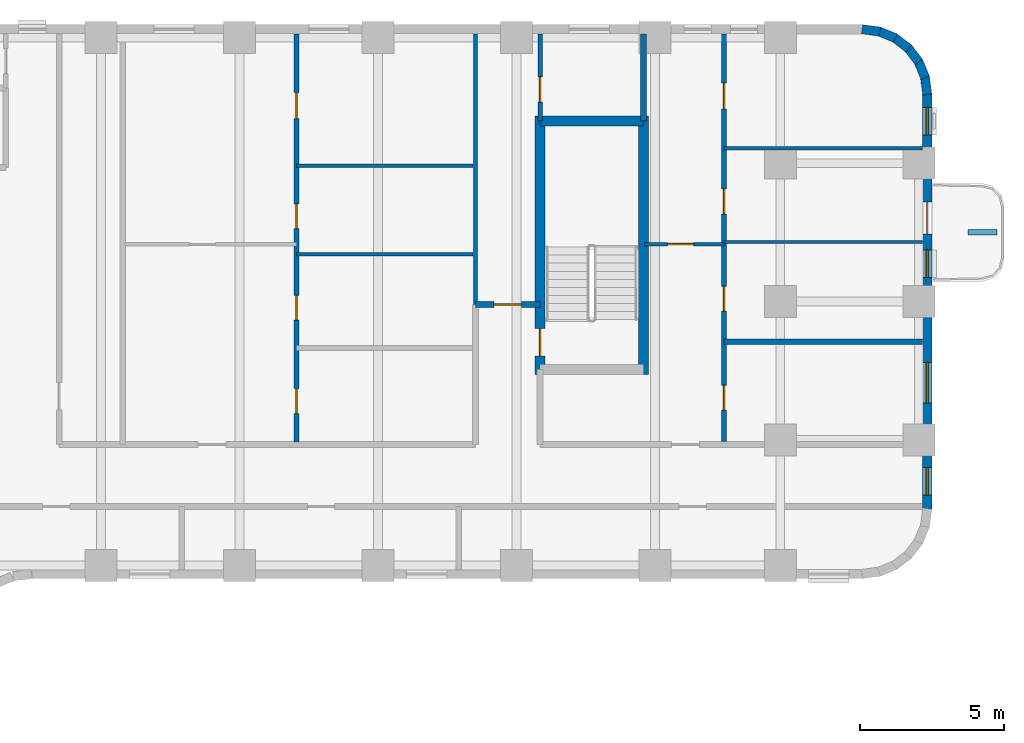
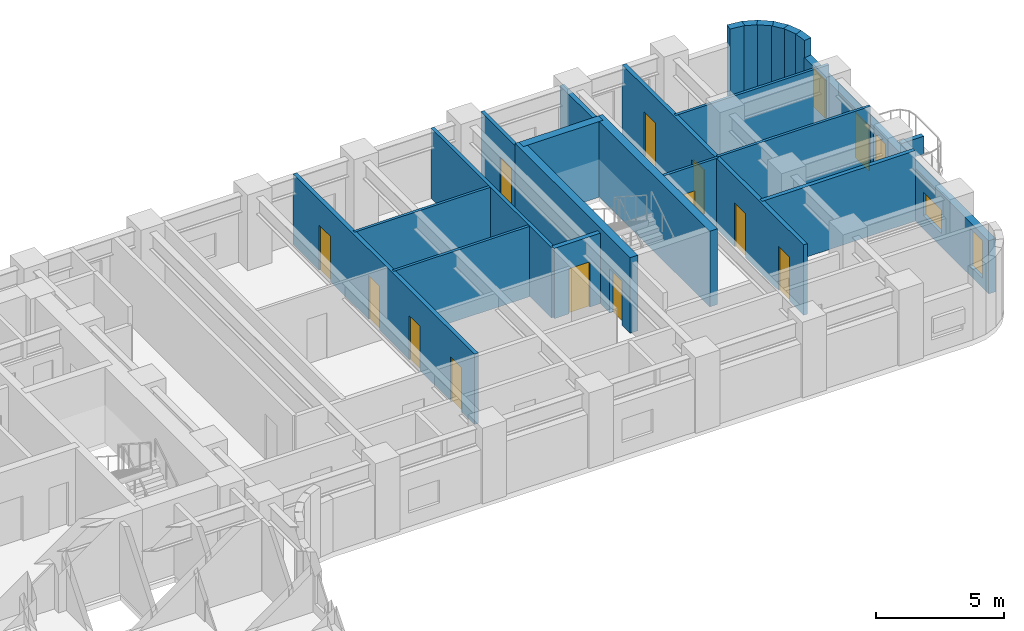
# One storey, part 7 of 12: 23 walls, 13 doors, 4 windows, 17 openings.
"""IFC4 building model written with IfcOpenShell, lengths in metres."""

import ifcopenshell
import ifcopenshell.guid

model = None  # the IFC model being written
_history = None  # IfcOwnerHistory: only IFC2X3 demands one
_inside = {}  # id of a spatial element -> (the spatial element, [elements in it])
_under = {}  # id of a project, library or spatial element -> (it, [spatial elements below it])
_declared = {}  # id of a project -> (the project, [libraries it declares])
_typed = {}  # id of a type object -> (the type object, [elements of that type])
_made_of = {}  # id of a material, layer set ... -> (it, [elements and type objects made of it])


def new_model(schema):
    """Start an empty IFC model of exactly this schema.

    Asked for "IFC4X3", IfcOpenShell would pick the latest addendum, in which some entities
    have other attributes; the version numbers below select the first issue.
    IFC2X3 requires an IfcOwnerHistory on every rooted entity: one is made here for all.
    """
    global model, _history
    if schema == "IFC4X3":
        model = ifcopenshell.file(schema_version=(4, 3, 0, 0))
    else:
        model = ifcopenshell.file(schema=schema)
    _inside.clear()
    _under.clear()
    _declared.clear()
    _typed.clear()
    _made_of.clear()
    _history = None
    if model.schema == "IFC2X3":
        org = make("IfcOrganization", Name="unknown")
        user = make(
            "IfcPersonAndOrganization",
            ThePerson=make("IfcPerson", FamilyName="unknown"),
            TheOrganization=org,
        )
        app = make(
            "IfcApplication",
            ApplicationDeveloper=org,
            Version="unknown",
            ApplicationFullName="unknown",
            ApplicationIdentifier="unknown",
        )
        _history = make(
            "IfcOwnerHistory",
            OwningUser=user,
            OwningApplication=app,
            ChangeAction="ADDED",
            CreationDate=0,
        )
    return model


def make(cls, **values):
    """One entity of the class cls with the attributes given. An attribute that is None is left unset."""
    return model.create_entity(
        cls, **{name: value for name, value in values.items() if value is not None}
    )


def rooted(cls, **values):
    """An entity with a GlobalId (a new one), such as an element, a storey or a relation."""
    return make(cls, GlobalId=ifcopenshell.guid.new(), OwnerHistory=_history, **values)


def si_unit(unit_type, name, prefix=None):
    """IfcSIUnit, for example si_unit("LENGTHUNIT", "METRE", prefix="MILLI")."""
    return make("IfcSIUnit", UnitType=unit_type, Prefix=prefix, Name=name)


def assignment(units):
    """IfcUnitAssignment: the units of a project."""
    return None if units is None else make("IfcUnitAssignment", Units=units)


def point(xyz):
    """IfcCartesianPoint."""
    return None if xyz is None else make("IfcCartesianPoint", Coordinates=xyz)


def direction(xyz):
    """IfcDirection."""
    return None if xyz is None else make("IfcDirection", DirectionRatios=xyz)


def frame(location, z_axis=None, x_axis=None):
    """IfcAxis2Placement3D, a coordinate frame: its origin and axes. An axis left out is left unset."""
    return make(
        "IfcAxis2Placement3D",
        Location=point(location),
        Axis=direction(z_axis),
        RefDirection=direction(x_axis),
    )


def frame_2d(location, x_axis=None):
    """IfcAxis2Placement2D, a coordinate frame in the plane: its origin and x axis."""
    return make(
        "IfcAxis2Placement2D", Location=point(location), RefDirection=direction(x_axis)
    )


def origin():
    """The frame at (0, 0, 0) with its axes left unset."""
    return frame((0.0, 0.0, 0.0))


def place(relative_to, where):
    """IfcLocalPlacement: puts the frame where relative to a parent placement (None: the world)."""
    return make(
        "IfcLocalPlacement", PlacementRelTo=relative_to, RelativePlacement=where
    )


def context(
    kind, dimensions, precision=None, world=None, true_north=None, identifier=None
):
    """IfcGeometricRepresentationContext, for example the 3D "Model" context."""
    return make(
        "IfcGeometricRepresentationContext",
        ContextIdentifier=identifier,
        ContextType=kind,
        CoordinateSpaceDimension=dimensions,
        Precision=precision,
        WorldCoordinateSystem=world,
        TrueNorth=true_north,
    )


def subcontext(parent, identifier, kind, view, scale=None):
    """IfcGeometricRepresentationSubContext, for example "Body" below "Model"."""
    return make(
        "IfcGeometricRepresentationSubContext",
        ContextIdentifier=identifier,
        ContextType=kind,
        ParentContext=parent,
        TargetScale=scale,
        TargetView=view,
    )


def project(units=None, contexts=None):
    """IfcProject with its units and contexts."""
    return rooted(
        "IfcProject",
        Name="project",
        RepresentationContexts=contexts,
        UnitsInContext=assignment(units),
    )


def spatial(cls, under=None, at=None, **own):
    """A site, building, storey or space (cls), placed at a placement, below another one or the project."""
    s = rooted(cls, ObjectPlacement=at, **own)
    if under is not None:
        _under.setdefault(under.id(), (under, []))[1].append(s)
    return s


def profile(cls, at=None, kind="AREA", **sizes):
    """A parametric profile (cls). Its sizes go by their IFC names, for example OverallWidth=200.0."""
    return make(cls, ProfileType=kind, Position=at, **sizes)


def rectangle(**sizes):
    """IfcRectangleProfileDef."""
    return profile("IfcRectangleProfileDef", **sizes)


def extrude(swept, where, along, depth):
    """IfcExtrudedAreaSolid: the profile swept, set in the frame where, extruded along a direction by depth."""
    return make(
        "IfcExtrudedAreaSolid",
        SweptArea=swept,
        Position=where,
        ExtrudedDirection=direction(along),
        Depth=depth,
    )


def shape(context_of_items, identifier, shape_type, items):
    """IfcShapeRepresentation: the items that make up one representation, for example the "Body"."""
    return make(
        "IfcShapeRepresentation",
        ContextOfItems=context_of_items,
        RepresentationIdentifier=identifier,
        RepresentationType=shape_type,
        Items=items,
    )


def material(Name=None, Category=None):
    """IfcMaterial."""
    return make("IfcMaterial", Name=Name, Category=Category)


def layer(
    of_material, thickness, ventilated=None, Name=None, Category=None, Priority=None
):
    """IfcMaterialLayer: one layer of a wall or slab, of a material (None: an air gap)."""
    return make(
        "IfcMaterialLayer",
        Material=of_material,
        LayerThickness=thickness,
        IsVentilated=ventilated,
        Name=Name,
        Category=Category,
        Priority=Priority,
    )


def layer_set(layers, Name=None):
    """IfcMaterialLayerSet."""
    return make("IfcMaterialLayerSet", MaterialLayers=layers, LayerSetName=Name)


def made_of(thing, what):
    """Note that an element or type object is made of a material, layer set ...; save() writes the relation."""
    if what is not None:
        _made_of.setdefault(what.id(), (what, []))[1].append(thing)
    return thing


def type_object(cls, material=None, **own):
    """A type object (cls), such as IfcWallType, which elements share."""
    return made_of(rooted(cls, **own), material)


def element(
    cls,
    number,
    at=None,
    inside=None,
    cuts=None,
    type_object=None,
    material=None,
    context=None,
    identifier="Body",
    shape_type=None,
    held_by="IfcProductDefinitionShape",
    body=None,
    shapes=None,
    **own,
):
    """One element of the class cls, such as IfcWall. Its Tag is "e" and its number.

    at: its placement. inside: the storey or other place that contains it. cuts: it is an
    opening in that element (IfcRelVoidsElement). A single representation is given by context,
    identifier, shape_type and body (its items); several are given by shapes. held_by: the class
    of the entity that holds the representations. save() writes the other relations.
    """
    e = rooted(cls, Tag="e%d" % number, ObjectPlacement=at, **own)
    if body is not None:
        shapes = [shape(context, identifier, shape_type, body)]
    if shapes is not None:
        e.Representation = make(held_by, Representations=shapes)
    if inside is not None:
        _inside.setdefault(inside.id(), (inside, []))[1].append(e)
    if cuts is not None:
        rooted(
            "IfcRelVoidsElement", RelatingBuildingElement=cuts, RelatedOpeningElement=e
        )
    if type_object is not None:
        _typed.setdefault(type_object.id(), (type_object, []))[1].append(e)
    return made_of(e, material)


def fill(opening, filler):
    """IfcRelFillsElement: the door or window that sits in an opening."""
    return rooted(
        "IfcRelFillsElement",
        RelatingOpeningElement=opening,
        RelatedBuildingElement=filler,
    )


def aggregate(whole, parts):
    """IfcRelAggregates: a whole, such as a stair, and the parts it consists of."""
    return rooted("IfcRelAggregates", RelatingObject=whole, RelatedObjects=parts)


def save(model, path):
    """Write the relations noted so far, then the file.

    IfcRelAggregates (storeys below a building ...), IfcRelContainedInSpatialStructure (elements
    in a storey), IfcRelDefinesByType, IfcRelAssociatesMaterial and IfcRelDeclares: one each for
    every whole, place, type object, material and project.
    """
    for whole, parts in _under.values():
        aggregate(whole, parts)
    for where, things in _inside.values():
        rooted(
            "IfcRelContainedInSpatialStructure",
            RelatedElements=things,
            RelatingStructure=where,
        )
    for kind, things in _typed.values():
        rooted("IfcRelDefinesByType", RelatedObjects=things, RelatingType=kind)
    for what, things in _made_of.values():
        rooted("IfcRelAssociatesMaterial", RelatedObjects=things, RelatingMaterial=what)
    for by, libraries in _declared.values():
        rooted("IfcRelDeclares", RelatingContext=by, RelatedDefinitions=libraries)
    model.write(path)


model = new_model("IFC4")

# Units and contexts
model_context = context("Model", 3, precision=1e-05, world=origin(), true_north=direction((0.0, 1.0)))
body_context = subcontext(model_context, "Body", "Model", "MODEL_VIEW")
ifc_project = project(units=[si_unit("LENGTHUNIT", "METRE"), si_unit("AREAUNIT", "SQUARE_METRE"), si_unit("VOLUMEUNIT", "CUBIC_METRE"), si_unit("PLANEANGLEUNIT", "RADIAN"), si_unit("MASSUNIT", "GRAM", prefix="KILO")], contexts=[model_context])

# Site, building, storey
site_placement = place(None, origin())
site = spatial("IfcSite", under=ifc_project, at=site_placement, CompositionType="ELEMENT")
building_placement = place(site_placement, origin())
building = spatial("IfcBuilding", under=site, at=building_placement, Name="Orvandelia Arch Residences", CompositionType="ELEMENT")
storey_placement = place(building_placement, frame((0.0, 0.0, 57.39990234375)))
storey = spatial("IfcBuildingStorey", under=building, at=storey_placement, Name="L14", CompositionType="ELEMENT", Elevation=57.39990234375)

# Wall, opening, door
ifc_material_1 = material(Name="Concrete C50/60", Category="concrete")
ifc_layer_1 = layer(ifc_material_1, 0.35009765625, Name="Concrete C50/60", Category="concrete")
ifc_layer_set_1 = layer_set([ifc_layer_1], Name="Concrete C50/60")
wall_type_1 = type_object("IfcWallType", Name="WL-CORE-350", PredefinedType="SHEAR", material=ifc_layer_set_1)
wall_1_placement = place(storey_placement, frame((44.02001953125, 35.864990234375, 0.0), z_axis=(0.0, 0.0, 1.0), x_axis=(0.0, 1.0, 0.0)))
wall_1 = element("IfcWall", 1, at=wall_1_placement, inside=storey, type_object=wall_type_1, Name="East Stair Core Shear Wall L14-W", PredefinedType="SHEAR", context=body_context, shape_type="SweptSolid", body=[
    extrude(rectangle(XDim=8.969970703125, YDim=0.35009765625, at=frame_2d((4.48486328125, 0.0))), origin(), (0.0, 0.0, 1.0), 3.60009765625),
])
opening_1_placement = place(wall_1_placement, frame((0.64990234375, 0.0, 0.0)))
opening_1 = element("IfcOpeningElement", 2, at=opening_1_placement, cuts=wall_1, Name="Opening D7", PredefinedType="OPENING", context=body_context, shape_type="SweptSolid", body=[
    extrude(rectangle(XDim=0.949951171875, YDim=2.10009765625, at=frame_2d((0.47509765625, 1.050048828125))), frame((0.0, 0.18505859375, 0.0), z_axis=(0.0, -1.0, 0.0), x_axis=(1.0, 0.0, 0.0)), (0.0, 0.0, 1.0), 0.3701171875),
])
ifc_material_2 = material(Name="Pressurised Stairwell Fire Door")
door_type_1 = type_object("IfcDoorType", Name="DR-STAIR-950", OperationType="NOTDEFINED", PredefinedType="DOOR", material=ifc_material_2)
door_1_placement = place(opening_1_placement, origin())
door_1 = element("IfcDoor", 3, at=door_1_placement, inside=storey, type_object=door_type_1, Name="East Stairwell ST-3 Fire Door L14", OperationType="SINGLE_SWING_LEFT", OverallHeight=2.10009765625, OverallWidth=0.949951171875, PredefinedType="DOOR", context=body_context, shape_type="SweptSolid", body=[
    extrude(rectangle(XDim=0.949951171875, YDim=2.10009765625, at=frame_2d((0.47509765625, 1.050048828125))), frame((0.0, 0.02490234375, 0.0), z_axis=(0.0, -1.0, 0.0), x_axis=(1.0, 0.0, 0.0)), (0.0, 0.0, 1.0), 0.050048828125),
])
fill(opening_1, door_1)

# Walls
wall_2_placement = place(storey_placement, frame((47.60009765625, 35.864990234375, 0.0), z_axis=(0.0, 0.0, 1.0), x_axis=(0.0, 1.0, 0.0)))
element("IfcWall", 4, at=wall_2_placement, inside=storey, type_object=wall_type_1, Name="East Stair Core Shear Wall L14-E", PredefinedType="SHEAR", context=body_context, shape_type="SweptSolid", body=[
    extrude(rectangle(XDim=8.969970703125, YDim=0.35009765625, at=frame_2d((4.48486328125, 0.0))), origin(), (0.0, 0.0, 1.0), 3.60009765625),
])
wall_3_placement = place(storey_placement, frame((44.02001953125, 44.659912109375, 0.0), z_axis=(0.0, 0.0, 1.0), x_axis=(1.0, 0.0, 0.0)))
element("IfcWall", 5, at=wall_3_placement, inside=storey, type_object=wall_type_1, Name="East Stair Core Shear Wall L14-N", PredefinedType="SHEAR", context=body_context, shape_type="SweptSolid", body=[
    extrude(rectangle(XDim=3.580078125, YDim=0.35009765625, at=frame_2d((1.7900390625, 0.0))), origin(), (0.0, 0.0, 1.0), 3.60009765625),
])

# Wall, opening, door
ifc_material_3 = material(Name="Fire-Rated Corridor Partition")
ifc_layer_2 = layer(ifc_material_3, 0.199951171875, Name="Fire-Rated Corridor Partition")
ifc_layer_set_2 = layer_set([ifc_layer_2], Name="Fire-Rated Corridor Partition")
wall_type_2 = type_object("IfcWallType", Name="WL-CORR-200", PredefinedType="PARTITIONING", material=ifc_layer_set_2)
wall_4_placement = place(storey_placement, frame((41.780029296875, 38.300048828125, 0.0), z_axis=(0.0, 0.0, 1.0), x_axis=(1.0, 0.0, 0.0)))
wall_4 = element("IfcWall", 6, at=wall_4_placement, inside=storey, type_object=wall_type_2, Name="Interior Partition Wall WL-L14-ES-SN", PredefinedType="PARTITIONING", context=body_context, shape_type="SweptSolid", body=[
    extrude(rectangle(XDim=2.239990234375, YDim=0.199951171875, at=frame_2d((1.1201171875, 0.0))), origin(), (0.0, 0.0, 1.0), 3.35009765625),
])
opening_2_placement = place(wall_4_placement, frame((0.64990234375, 0.0, 0.0)))
opening_2 = element("IfcOpeningElement", 7, at=opening_2_placement, cuts=wall_4, Name="Opening D2", PredefinedType="OPENING", context=body_context, shape_type="SweptSolid", body=[
    extrude(rectangle(XDim=0.949951171875, YDim=2.14990234375, at=frame_2d((0.47509765625, 1.074951171875))), frame((0.0, 0.10986328125, 0.0), z_axis=(0.0, -1.0, 0.0), x_axis=(1.0, 0.0, 0.0)), (0.0, 0.0, 1.0), 0.219970703125),
])
ifc_material_4 = material(Name="Solid-Core Timber Interior Fire Door", Category="wood")
door_type_2 = type_object("IfcDoorType", Name="DR-APT-950", OperationType="NOTDEFINED", PredefinedType="DOOR", material=ifc_material_4)
door_2_placement = place(opening_2_placement, origin())
door_2 = element("IfcDoor", 8, at=door_2_placement, inside=storey, type_object=door_type_2, Name="DR-L14-ESSPK", OperationType="SINGLE_SWING_LEFT", OverallHeight=2.14990234375, OverallWidth=0.949951171875, PredefinedType="DOOR", context=body_context, shape_type="SweptSolid", body=[
    extrude(rectangle(XDim=0.949951171875, YDim=2.14990234375, at=frame_2d((0.47509765625, 1.074951171875))), frame((0.0, 0.02490234375, 0.0), z_axis=(0.0, -1.0, 0.0), x_axis=(1.0, 0.0, 0.0)), (0.0, 0.0, 1.0), 0.050048828125),
])
fill(opening_2, door_2)

# Walls
ifc_material_5 = material(Name="Concrete C40/50", Category="concrete")
ifc_layer_3 = layer(ifc_material_5, 0.199951171875, Name="Concrete C40/50", Category="concrete")
ifc_layer_set_3 = layer_set([ifc_layer_3], Name="Concrete C40/50")
wall_type_3 = type_object("IfcWallType", Name="WL-DEM-200", PredefinedType="SOLIDWALL", material=ifc_layer_set_3)
wall_5_placement = place(storey_placement, frame((47.60009765625, 44.659912109375, 0.0), z_axis=(0.0, 0.0, 1.0), x_axis=(0.0, 1.0, 0.0)))
element("IfcWall", 9, at=wall_5_placement, inside=storey, type_object=wall_type_3, Name="Interior Partition Wall WL-L14-ES-NST3E", PredefinedType="SOLIDWALL", context=body_context, shape_type="SweptSolid", body=[
    extrude(rectangle(XDim=3.02001953125, YDim=0.199951171875, at=frame_2d((1.510009765625, 0.0))), origin(), (0.0, 0.0, 1.0), 3.35009765625),
])
ifc_material_6 = material(Name="Precast concrete C40/50", Category="concrete")
ifc_layer_4 = layer(ifc_material_6, 0.320068359375, Name="Precast concrete C40/50", Category="concrete")
ifc_layer_set_4 = layer_set([ifc_layer_4], Name="Precast concrete C40/50")
wall_type_4 = type_object("IfcWallType", Name="WL-EXT-STONE-320", PredefinedType="STANDARD", material=ifc_layer_set_4)
for number, where, z_axis, x_axis, name in (
    (10, (55.17919921875, 47.84130859375, 0.0), (0.0, 0.0, 1.0), (0.9914410257, -0.130555323746, 0.0), "Coral-Limestone Precast Facade Wall L14-008"),
    (11, (55.760009765625, 47.7705078125, 0.0), (0.0, 0.0, 1.0), (0.92389335771, -0.382650053678, 0.0), "Coral-Limestone Precast Facade Wall L14-009"),
):
    element("IfcWall", number, at=place(storey_placement, frame(where, z_axis=z_axis, x_axis=x_axis)), inside=storey, type_object=wall_type_4, Name=name, PredefinedType="STANDARD", context=body_context, shape_type="SweptSolid", body=[
        extrude(rectangle(XDim=0.62646484375, YDim=0.320068359375, at=frame_2d((0.313232421875, 0.0))), origin(), (0.0, 0.0, 1.0), 3.35009765625),
    ])
wall_6_placement = place(storey_placement, frame((56.302490234375, 47.551513671875, 0.0), z_axis=(0.0, 0.0, 1.0), x_axis=(0.793549926411, -0.608505147302, 0.0)))
element("IfcWall", 12, at=wall_6_placement, inside=storey, type_object=wall_type_4, Name="Coral-Limestone Precast Facade Wall L14-010", PredefinedType="STANDARD", context=body_context, shape_type="SweptSolid", body=[
    extrude(rectangle(XDim=0.626708984375, YDim=0.320068359375, at=frame_2d((0.3134765625, 0.0))), origin(), (0.0, 0.0, 1.0), 3.35009765625),
])
for number, where, z_axis, x_axis, name in (
    (13, (56.770263671875, 47.19970703125, 0.0), (0.0, 0.0, 1.0), (0.608693302629, -0.793405610854, 0.0), "Coral-Limestone Precast Facade Wall L14-011"),
    (14, (57.130615234375, 46.73876953125, 0.0), (0.0, 0.0, 1.0), (0.382650053678, -0.92389335771, 0.0), "Coral-Limestone Precast Facade Wall L14-012"),
    (15, (57.359619140625, 46.2001953125, 0.0), (0.0, 0.0, 1.0), (0.130555323746, -0.9914410257, 0.0), "Coral-Limestone Precast Facade Wall L14-013"),
):
    element("IfcWall", number, at=place(storey_placement, frame(where, z_axis=z_axis, x_axis=x_axis)), inside=storey, type_object=wall_type_4, Name=name, PredefinedType="STANDARD", context=body_context, shape_type="SweptSolid", body=[
        extrude(rectangle(XDim=0.62646484375, YDim=0.320068359375, at=frame_2d((0.313232421875, 0.0))), origin(), (0.0, 0.0, 1.0), 3.35009765625),
    ])

# Wall, openings, door, windows
wall_7_placement = place(storey_placement, frame((57.43994140625, 45.60009765625, 0.0), z_axis=(0.0, 0.0, 1.0), x_axis=(0.0, -1.0, 0.0)))
wall_7 = element("IfcWall", 16, at=wall_7_placement, inside=storey, type_object=wall_type_4, Name="Coral-Limestone Precast Facade Wall L14-014", PredefinedType="STANDARD", context=body_context, shape_type="SweptSolid", body=[
    extrude(rectangle(XDim=14.400146484375, YDim=0.320068359375, at=frame_2d((7.2001953125, 0.0))), origin(), (0.0, 0.0, 1.0), 2.530029296875),
])
opening_3_placement = place(wall_7_placement, frame((3.75, 0.0, 0.0)))
opening_3 = element("IfcOpeningElement", 17, at=opening_3_placement, cuts=wall_7, Name="Opening BD1", PredefinedType="OPENING", context=body_context, shape_type="SweptSolid", body=[
    extrude(rectangle(XDim=1.10009765625, YDim=2.14990234375, at=frame_2d((0.550048828125, 1.074951171875))), frame((0.0, 0.169921875, 0.0), z_axis=(0.0, -1.0, 0.0), x_axis=(1.0, 0.0, 0.0)), (0.0, 0.0, 1.0), 0.340087890625),
])
opening_4_placement = place(wall_7_placement, frame((0.469970703125, 0.0, 0.449951171875)))
opening_4 = element("IfcOpeningElement", 18, at=opening_4_placement, cuts=wall_7, Name="Opening W4", PredefinedType="OPENING", context=body_context, shape_type="SweptSolid", body=[
    extrude(rectangle(XDim=0.949951171875, YDim=1.800048828125, at=frame_2d((0.47509765625, 0.89990234375))), frame((0.0, 0.169921875, 0.0), z_axis=(0.0, -1.0, 0.0), x_axis=(1.0, 0.0, 0.0)), (0.0, 0.0, 1.0), 0.340087890625),
])
opening_5_placement = place(wall_7_placement, frame((12.9599609375, 0.0, 0.449951171875)))
opening_5 = element("IfcOpeningElement", 19, at=opening_5_placement, cuts=wall_7, Name="Opening W4", PredefinedType="OPENING", context=body_context, shape_type="SweptSolid", body=[
    extrude(rectangle(XDim=0.949951171875, YDim=1.800048828125, at=frame_2d((0.47509765625, 0.89990234375))), frame((0.0, 0.169921875, 0.0), z_axis=(0.0, -1.0, 0.0), x_axis=(1.0, 0.0, 0.0)), (0.0, 0.0, 1.0), 0.340087890625),
])
opening_6_placement = place(wall_7_placement, frame((9.3115234375, 0.0, 0.64990234375)))
opening_6 = element("IfcOpeningElement", 20, at=opening_6_placement, cuts=wall_7, Name="Opening W10", PredefinedType="OPENING", context=body_context, shape_type="SweptSolid", body=[
    extrude(rectangle(XDim=1.39990234375, YDim=1.10009765625, at=frame_2d((0.699951171875, 0.550048828125))), frame((0.0, 0.169921875, 0.0), z_axis=(0.0, -1.0, 0.0), x_axis=(1.0, 0.0, 0.0)), (0.0, 0.0, 1.0), 0.340087890625),
])
opening_7_placement = place(wall_7_placement, frame((5.407470703125, 0.0, 0.449951171875)))
opening_7 = element("IfcOpeningElement", 21, at=opening_7_placement, cuts=wall_7, Name="Opening W4", PredefinedType="OPENING", context=body_context, shape_type="SweptSolid", body=[
    extrude(rectangle(XDim=0.949951171875, YDim=1.800048828125, at=frame_2d((0.47509765625, 0.89990234375))), frame((0.0, 0.169921875, 0.0), z_axis=(0.0, -1.0, 0.0), x_axis=(1.0, 0.0, 0.0)), (0.0, 0.0, 1.0), 0.340087890625),
])
ifc_material_7 = material(Name="Thermally Broken Aluminium Glazed Door", Category="aluminium")
door_type_3 = type_object("IfcDoorType", Name="DR-BAL-GLAZ-1100", OperationType="NOTDEFINED", PredefinedType="DOOR", material=ifc_material_7)
door_3_placement = place(opening_3_placement, origin())
door_3 = element("IfcDoor", 22, at=door_3_placement, inside=storey, type_object=door_type_3, Name="Tree Balcony Glazed Door BAL-L14-E1", OperationType="SINGLE_SWING_LEFT", OverallHeight=2.14990234375, OverallWidth=1.10009765625, PredefinedType="DOOR", context=body_context, shape_type="SweptSolid", body=[
    extrude(rectangle(XDim=1.10009765625, YDim=2.14990234375, at=frame_2d((0.550048828125, 1.074951171875))), frame((0.0, 0.02490234375, 0.0), z_axis=(0.0, -1.0, 0.0), x_axis=(1.0, 0.0, 0.0)), (0.0, 0.0, 1.0), 0.050048828125),
])
fill(opening_3, door_3)
ifc_material_8 = material(Name="Tempered Low-E Insulated Glazing", Category="glass")
window_type_1 = type_object("IfcWindowType", Name="WIN-CLR-1400x1100", PartitioningType="SINGLE_PANEL", PredefinedType="WINDOW", material=ifc_material_8)
window_1_placement = place(opening_6_placement, origin())
window_1 = element("IfcWindow", 23, at=window_1_placement, inside=storey, type_object=window_type_1, Name="Recessed Punched Window L14-011", OverallHeight=1.10009765625, OverallWidth=1.39990234375, PartitioningType="SINGLE_PANEL", PredefinedType="WINDOW", context=body_context, shape_type="SweptSolid", body=[
    extrude(rectangle(XDim=1.39990234375, YDim=1.10009765625, at=frame_2d((0.699951171875, 0.550048828125))), frame((0.0, 0.030029296875, 0.0), z_axis=(0.0, -1.0, 0.0), x_axis=(1.0, 0.0, 0.0)), (0.0, 0.0, 1.0), 0.06005859375),
])
fill(opening_6, window_1)
window_type_2 = type_object("IfcWindowType", Name="WIN-RES-0950x1800", PartitioningType="SINGLE_PANEL", PredefinedType="WINDOW", material=ifc_material_8)
window_2_placement = place(opening_4_placement, origin())
window_2 = element("IfcWindow", 24, at=window_2_placement, inside=storey, type_object=window_type_2, Name="Recessed Punched Window L14-009", OverallHeight=1.800048828125, OverallWidth=0.949951171875, PartitioningType="SINGLE_PANEL", PredefinedType="WINDOW", context=body_context, shape_type="SweptSolid", body=[
    extrude(rectangle(XDim=0.949951171875, YDim=1.800048828125, at=frame_2d((0.47509765625, 0.89990234375))), frame((0.0, 0.030029296875, 0.0), z_axis=(0.0, -1.0, 0.0), x_axis=(1.0, 0.0, 0.0)), (0.0, 0.0, 1.0), 0.06005859375),
])
fill(opening_4, window_2)
window_3_placement = place(opening_5_placement, origin())
window_3 = element("IfcWindow", 25, at=window_3_placement, inside=storey, type_object=window_type_2, Name="Recessed Punched Window L14-010", OverallHeight=1.800048828125, OverallWidth=0.949951171875, PartitioningType="SINGLE_PANEL", PredefinedType="WINDOW", context=body_context, shape_type="SweptSolid", body=[
    extrude(rectangle(XDim=0.949951171875, YDim=1.800048828125, at=frame_2d((0.47509765625, 0.89990234375))), frame((0.0, 0.030029296875, 0.0), z_axis=(0.0, -1.0, 0.0), x_axis=(1.0, 0.0, 0.0)), (0.0, 0.0, 1.0), 0.06005859375),
])
fill(opening_5, window_3)
window_4_placement = place(opening_7_placement, origin())
window_4 = element("IfcWindow", 26, at=window_4_placement, inside=storey, type_object=window_type_2, Name="Recessed Punched Window L14-012", OverallHeight=1.800048828125, OverallWidth=0.949951171875, PartitioningType="SINGLE_PANEL", PredefinedType="WINDOW", context=body_context, shape_type="SweptSolid", body=[
    extrude(rectangle(XDim=0.949951171875, YDim=1.800048828125, at=frame_2d((0.47509765625, 0.89990234375))), frame((0.0, 0.030029296875, 0.0), z_axis=(0.0, -1.0, 0.0), x_axis=(1.0, 0.0, 0.0)), (0.0, 0.0, 1.0), 0.06005859375),
])
fill(opening_7, window_4)

# Walls
ifc_material_9 = material(Name="Lightweight Gypsum Stud Partition")
ifc_layer_5 = layer(ifc_material_9, 0.1201171875, Name="Lightweight Gypsum Stud Partition")
ifc_layer_set_5 = layer_set([ifc_layer_5], Name="Lightweight Gypsum Stud Partition")
wall_type_5 = type_object("IfcWallType", Name="WL-PART-120", PredefinedType="PARTITIONING", material=ifc_layer_set_5)
for number, where, z_axis, x_axis, name in (
    (27, (35.576904296875, 40.0419921875, 0.0), (0.0, 0.0, 1.0), (1.0, 0.0, 0.0), "Interior Partition Wall WL-L14-U07-H1B"),
    (28, (35.576904296875, 43.10693359375, 0.0), (0.0, 0.0, 1.0), (1.0, 0.0, 0.0), "Interior Partition Wall WL-L14-U07-H2"),
):
    element("IfcWall", number, at=place(storey_placement, frame(where, z_axis=z_axis, x_axis=x_axis)), inside=storey, type_object=wall_type_5, Name=name, PredefinedType="PARTITIONING", context=body_context, shape_type="SweptSolid", body=[
        extrude(rectangle(XDim=6.123046875, YDim=0.1201171875, at=frame_2d((3.0615234375, 0.0))), origin(), (0.0, 0.0, 1.0), 3.35009765625),
    ])

# Wall, opening, door
wall_8_placement = place(storey_placement, frame((47.639892578125, 40.39404296875, 0.0), z_axis=(0.0, 0.0, 1.0), x_axis=(1.0, 0.0, 0.0)))
wall_8 = element("IfcWall", 29, at=wall_8_placement, inside=storey, type_object=wall_type_5, Name="Interior Partition Wall WL-L14-U08-DIN", PredefinedType="PARTITIONING", context=body_context, shape_type="SweptSolid", body=[
    extrude(rectangle(XDim=2.757080078125, YDim=0.1201171875, at=frame_2d((1.37841796875, 0.0))), origin(), (0.0, 0.0, 1.0), 3.35009765625),
])
opening_8_placement = place(wall_8_placement, frame((0.799560546875, 0.0, 0.0)))
opening_8 = element("IfcOpeningElement", 30, at=opening_8_placement, cuts=wall_8, Name="Opening D3", PredefinedType="OPENING", context=body_context, shape_type="SweptSolid", body=[
    extrude(rectangle(XDim=0.89990234375, YDim=2.14990234375, at=frame_2d((0.449951171875, 1.074951171875))), frame((0.0, 0.070068359375, 0.0), z_axis=(0.0, -1.0, 0.0), x_axis=(1.0, 0.0, 0.0)), (0.0, 0.0, 1.0), 0.14013671875),
])
ifc_material_10 = material(Name="Engineered Timber Flush Door", Category="wood")
door_type_4 = type_object("IfcDoorType", Name="DR-INT-900", OperationType="NOTDEFINED", PredefinedType="DOOR", material=ifc_material_10)
door_4_placement = place(opening_8_placement, origin())
door_4 = element("IfcDoor", 31, at=door_4_placement, inside=storey, type_object=door_type_4, Name="DR-L14-U08-DIN", OperationType="SINGLE_SWING_LEFT", OverallHeight=2.14990234375, OverallWidth=0.89990234375, PredefinedType="DOOR", context=body_context, shape_type="SweptSolid", body=[
    extrude(rectangle(XDim=0.89990234375, YDim=2.14990234375, at=frame_2d((0.449951171875, 1.074951171875))), frame((0.0, 0.02490234375, 0.0), z_axis=(0.0, -1.0, 0.0), x_axis=(1.0, 0.0, 0.0)), (0.0, 0.0, 1.0), 0.050048828125),
])
fill(opening_8, door_4)

# Walls
for number, where, z_axis, x_axis, name in (
    (32, (50.39697265625, 40.465087890625, 0.0), (0.0, 0.0, 1.0), (1.0, 0.0, 0.0), "Interior Partition Wall WL-L14-U08-H1B"),
    (33, (50.39697265625, 43.718994140625, 0.0), (0.0, 0.0, 1.0), (1.0, 0.0, 0.0), "Interior Partition Wall WL-L14-U08-H2"),
):
    element("IfcWall", number, at=place(storey_placement, frame(where, z_axis=z_axis, x_axis=x_axis)), inside=storey, type_object=wall_type_5, Name=name, PredefinedType="PARTITIONING", context=body_context, shape_type="SweptSolid", body=[
        extrude(rectangle(XDim=6.883056640625, YDim=0.1201171875, at=frame_2d((3.44140625, 0.0))), origin(), (0.0, 0.0, 1.0), 3.35009765625),
    ])
ifc_material_11 = material(Name="Acoustic Gypsum Stud Partition")
ifc_layer_6 = layer(ifc_material_11, 0.14990234375, Name="Acoustic Gypsum Stud Partition")
ifc_layer_set_6 = layer_set([ifc_layer_6], Name="Acoustic Gypsum Stud Partition")
wall_type_6 = type_object("IfcWallType", Name="WL-PART-150", PredefinedType="PARTITIONING", material=ifc_layer_set_6)
wall_9_placement = place(storey_placement, frame((41.780029296875, 38.300048828125, 0.0), z_axis=(0.0, 0.0, 1.0), x_axis=(0.0, 1.0, 0.0)))
element("IfcWall", 34, at=wall_9_placement, inside=storey, type_object=wall_type_6, Name="Interior Partition Wall WL-L14-ES-SPKW", PredefinedType="PARTITIONING", context=body_context, shape_type="SweptSolid", body=[
    extrude(rectangle(XDim=9.3798828125, YDim=0.14990234375, at=frame_2d((4.68994140625, 0.0))), origin(), (0.0, 0.0, 1.0), 3.35009765625),
])

# Wall, opening, door
wall_10_placement = place(storey_placement, frame((44.02001953125, 44.659912109375, 0.0), z_axis=(0.0, 0.0, 1.0), x_axis=(0.0, 1.0, 0.0)))
wall_10 = element("IfcWall", 35, at=wall_10_placement, inside=storey, type_object=wall_type_6, Name="Interior Partition Wall WL-L14-ES-NST3W", PredefinedType="PARTITIONING", context=body_context, shape_type="SweptSolid", body=[
    extrude(rectangle(XDim=3.02001953125, YDim=0.14990234375, at=frame_2d((1.510009765625, 0.0))), origin(), (0.0, 0.0, 1.0), 3.35009765625),
])
opening_9_placement = place(wall_10_placement, frame((0.64990234375, 0.0, 0.0)))
opening_9 = element("IfcOpeningElement", 36, at=opening_9_placement, cuts=wall_10, Name="Opening D5", PredefinedType="OPENING", context=body_context, shape_type="SweptSolid", body=[
    extrude(rectangle(XDim=0.8798828125, YDim=2.10009765625, at=frame_2d((0.43994140625, 1.050048828125))), frame((0.0, 0.0849609375, 0.0), z_axis=(0.0, -1.0, 0.0), x_axis=(1.0, 0.0, 0.0)), (0.0, 0.0, 1.0), 0.169921875),
])
ifc_material_12 = material(Name="Painted Galvanised Steel Service Door", Category="steel")
door_type_5 = type_object("IfcDoorType", Name="DR-SRV-880", OperationType="NOTDEFINED", PredefinedType="DOOR", material=ifc_material_12)
door_5_placement = place(opening_9_placement, origin())
door_5 = element("IfcDoor", 37, at=door_5_placement, inside=storey, type_object=door_type_5, Name="DR-L14-ESNST3", OperationType="SINGLE_SWING_RIGHT", OverallHeight=2.10009765625, OverallWidth=0.8798828125, PredefinedType="DOOR", context=body_context, shape_type="SweptSolid", body=[
    extrude(rectangle(XDim=0.8798828125, YDim=2.10009765625, at=frame_2d((0.43994140625, 1.050048828125))), frame((0.0, 0.02490234375, 0.0), z_axis=(0.0, -1.0, 0.0), x_axis=(1.0, 0.0, 0.0)), (0.0, 0.0, 1.0), 0.050048828125),
])
fill(opening_9, door_5)

# Wall
ifc_layer_7 = layer(ifc_material_6, 0.199951171875, Name="Precast concrete C40/50", Category="concrete")
ifc_layer_set_7 = layer_set([ifc_layer_7], Name="Precast concrete C40/50")
wall_type_7 = type_object("IfcWallType", Name="WL-PLANTER-200", PredefinedType="MOVABLE", material=ifc_layer_set_7)
wall_11_placement = place(storey_placement, frame((58.85009765625, 40.800048828125, 0.0), z_axis=(0.0, 0.0, 1.0), x_axis=(1.0, 0.0, 0.0)))
element("IfcWall", 38, at=wall_11_placement, inside=storey, type_object=wall_type_7, Name="Balcony Precast Tree Planter BAL-L14-E1", PredefinedType="MOVABLE", context=body_context, shape_type="SweptSolid", body=[
    extrude(rectangle(XDim=1.0, YDim=0.199951171875, at=frame_2d((0.5, 0.0))), origin(), (0.0, 0.0, 1.0), 0.85009765625),
])

# Wall, openings, doors
ifc_material_13 = material(Name="Moisture-Resistant Plumbing Wall")
ifc_layer_8 = layer(ifc_material_13, 0.179931640625, Name="Moisture-Resistant Plumbing Wall")
ifc_layer_set_8 = layer_set([ifc_layer_8], Name="Moisture-Resistant Plumbing Wall")
wall_type_8 = type_object("IfcWallType", Name="WL-WET-180", PredefinedType="PLUMBINGWALL", material=ifc_layer_set_8)
wall_12_placement = place(storey_placement, frame((35.576904296875, 33.530029296875, 0.0), z_axis=(0.0, 0.0, 1.0), x_axis=(0.0, 1.0, 0.0)))
wall_12 = element("IfcWall", 39, at=wall_12_placement, inside=storey, type_object=wall_type_8, Name="Interior Partition Wall WL-L14-U07-VT", PredefinedType="PLUMBINGWALL", context=body_context, shape_type="SweptSolid", body=[
    extrude(rectangle(XDim=14.14990234375, YDim=0.179931640625, at=frame_2d((7.074951171875, 0.0))), origin(), (0.0, 0.0, 1.0), 3.35009765625),
])
opening_10_placement = place(wall_12_placement, frame((0.99267578125, 0.0, 0.0)))
opening_10 = element("IfcOpeningElement", 40, at=opening_10_placement, cuts=wall_12, Name="Opening D4", PredefinedType="OPENING", context=body_context, shape_type="SweptSolid", body=[
    extrude(rectangle(XDim=0.860107421875, YDim=2.10009765625, at=frame_2d((0.43017578125, 1.050048828125))), frame((0.0, 0.10009765625, 0.0), z_axis=(0.0, -1.0, 0.0), x_axis=(1.0, 0.0, 0.0)), (0.0, 0.0, 1.0), 0.199951171875),
])
opening_11_placement = place(wall_12_placement, frame((4.226318359375, 0.0, 0.0)))
opening_11 = element("IfcOpeningElement", 41, at=opening_11_placement, cuts=wall_12, Name="Opening D4", PredefinedType="OPENING", context=body_context, shape_type="SweptSolid", body=[
    extrude(rectangle(XDim=0.860107421875, YDim=2.10009765625, at=frame_2d((0.43017578125, 1.050048828125))), frame((0.0, 0.10009765625, 0.0), z_axis=(0.0, -1.0, 0.0), x_axis=(1.0, 0.0, 0.0)), (0.0, 0.0, 1.0), 0.199951171875),
])
opening_12_placement = place(wall_12_placement, frame((7.396240234375, 0.0, 0.0)))
opening_12 = element("IfcOpeningElement", 42, at=opening_12_placement, cuts=wall_12, Name="Opening D4", PredefinedType="OPENING", context=body_context, shape_type="SweptSolid", body=[
    extrude(rectangle(XDim=0.860107421875, YDim=2.10009765625, at=frame_2d((0.43017578125, 1.050048828125))), frame((0.0, 0.10009765625, 0.0), z_axis=(0.0, -1.0, 0.0), x_axis=(1.0, 0.0, 0.0)), (0.0, 0.0, 1.0), 0.199951171875),
])
opening_13_placement = place(wall_12_placement, frame((11.2119140625, 0.0, 0.0)))
opening_13 = element("IfcOpeningElement", 43, at=opening_13_placement, cuts=wall_12, Name="Opening D3", PredefinedType="OPENING", context=body_context, shape_type="SweptSolid", body=[
    extrude(rectangle(XDim=0.89990234375, YDim=2.14990234375, at=frame_2d((0.449951171875, 1.074951171875))), frame((0.0, 0.10009765625, 0.0), z_axis=(0.0, -1.0, 0.0), x_axis=(1.0, 0.0, 0.0)), (0.0, 0.0, 1.0), 0.199951171875),
])
door_6_placement = place(opening_13_placement, origin())
door_6 = element("IfcDoor", 44, at=door_6_placement, inside=storey, type_object=door_type_4, Name="DR-L14-U07-BD1", OperationType="SINGLE_SWING_LEFT", OverallHeight=2.14990234375, OverallWidth=0.89990234375, PredefinedType="DOOR", context=body_context, shape_type="SweptSolid", body=[
    extrude(rectangle(XDim=0.89990234375, YDim=2.14990234375, at=frame_2d((0.449951171875, 1.074951171875))), frame((0.0, 0.02490234375, 0.0), z_axis=(0.0, -1.0, 0.0), x_axis=(1.0, 0.0, 0.0)), (0.0, 0.0, 1.0), 0.050048828125),
])
fill(opening_13, door_6)
ifc_material_14 = material(Name="Moisture-Sealed Timber Bathroom Door", Category="wood")
door_type_6 = type_object("IfcDoorType", Name="DR-WET-900", OperationType="NOTDEFINED", PredefinedType="DOOR", material=ifc_material_14)
door_7_placement = place(opening_10_placement, origin())
door_7 = element("IfcDoor", 45, at=door_7_placement, inside=storey, type_object=door_type_6, Name="DR-L14-U07-BTH", OperationType="SINGLE_SWING_RIGHT", OverallHeight=2.10009765625, OverallWidth=0.860107421875, PredefinedType="DOOR", context=body_context, shape_type="SweptSolid", body=[
    extrude(rectangle(XDim=0.860107421875, YDim=2.10009765625, at=frame_2d((0.43017578125, 1.050048828125))), frame((0.0, 0.02490234375, 0.0), z_axis=(0.0, -1.0, 0.0), x_axis=(1.0, 0.0, 0.0)), (0.0, 0.0, 1.0), 0.050048828125),
])
fill(opening_10, door_7)
door_8_placement = place(opening_11_placement, origin())
door_8 = element("IfcDoor", 46, at=door_8_placement, inside=storey, type_object=door_type_6, Name="DR-L14-U07-KIT", OperationType="SINGLE_SWING_LEFT", OverallHeight=2.10009765625, OverallWidth=0.860107421875, PredefinedType="DOOR", context=body_context, shape_type="SweptSolid", body=[
    extrude(rectangle(XDim=0.860107421875, YDim=2.10009765625, at=frame_2d((0.43017578125, 1.050048828125))), frame((0.0, 0.02490234375, 0.0), z_axis=(0.0, -1.0, 0.0), x_axis=(1.0, 0.0, 0.0)), (0.0, 0.0, 1.0), 0.050048828125),
])
fill(opening_11, door_8)
door_9_placement = place(opening_12_placement, origin())
door_9 = element("IfcDoor", 47, at=door_9_placement, inside=storey, type_object=door_type_6, Name="DR-L14-U07-STDY", OperationType="SINGLE_SWING_RIGHT", OverallHeight=2.10009765625, OverallWidth=0.860107421875, PredefinedType="DOOR", context=body_context, shape_type="SweptSolid", body=[
    extrude(rectangle(XDim=0.860107421875, YDim=2.10009765625, at=frame_2d((0.43017578125, 1.050048828125))), frame((0.0, 0.02490234375, 0.0), z_axis=(0.0, -1.0, 0.0), x_axis=(1.0, 0.0, 0.0)), (0.0, 0.0, 1.0), 0.050048828125),
])
fill(opening_12, door_9)

wall_13_placement = place(storey_placement, frame((50.39697265625, 33.550048828125, 0.0), z_axis=(0.0, 0.0, 1.0), x_axis=(0.0, 1.0, 0.0)))
wall_13 = element("IfcWall", 48, at=wall_13_placement, inside=storey, type_object=wall_type_8, Name="Interior Partition Wall WL-L14-U08-VT", PredefinedType="PLUMBINGWALL", context=body_context, shape_type="SweptSolid", body=[
    extrude(rectangle(XDim=14.1298828125, YDim=0.179931640625, at=frame_2d((7.06494140625, 0.0))), origin(), (0.0, 0.0, 1.0), 3.35009765625),
])
opening_14_placement = place(wall_13_placement, frame((1.0830078125, 0.0, 0.0)))
opening_14 = element("IfcOpeningElement", 49, at=opening_14_placement, cuts=wall_13, Name="Opening D4", PredefinedType="OPENING", context=body_context, shape_type="SweptSolid", body=[
    extrude(rectangle(XDim=0.860107421875, YDim=2.10009765625, at=frame_2d((0.43017578125, 1.050048828125))), frame((0.0, 0.10009765625, 0.0), z_axis=(0.0, -1.0, 0.0), x_axis=(1.0, 0.0, 0.0)), (0.0, 0.0, 1.0), 0.199951171875),
])
opening_15_placement = place(wall_13_placement, frame((4.51806640625, 0.0, 0.0)))
opening_15 = element("IfcOpeningElement", 50, at=opening_15_placement, cuts=wall_13, Name="Opening D4", PredefinedType="OPENING", context=body_context, shape_type="SweptSolid", body=[
    extrude(rectangle(XDim=0.860107421875, YDim=2.10009765625, at=frame_2d((0.43017578125, 1.050048828125))), frame((0.0, 0.10009765625, 0.0), z_axis=(0.0, -1.0, 0.0), x_axis=(1.0, 0.0, 0.0)), (0.0, 0.0, 1.0), 0.199951171875),
])
opening_16_placement = place(wall_13_placement, frame((7.88427734375, 0.0, 0.0)))
opening_16 = element("IfcOpeningElement", 51, at=opening_16_placement, cuts=wall_13, Name="Opening D4", PredefinedType="OPENING", context=body_context, shape_type="SweptSolid", body=[
    extrude(rectangle(XDim=0.860107421875, YDim=2.10009765625, at=frame_2d((0.43017578125, 1.050048828125))), frame((0.0, 0.10009765625, 0.0), z_axis=(0.0, -1.0, 0.0), x_axis=(1.0, 0.0, 0.0)), (0.0, 0.0, 1.0), 0.199951171875),
])
opening_17_placement = place(wall_13_placement, frame((11.5283203125, 0.0, 0.0)))
opening_17 = element("IfcOpeningElement", 52, at=opening_17_placement, cuts=wall_13, Name="Opening D3", PredefinedType="OPENING", context=body_context, shape_type="SweptSolid", body=[
    extrude(rectangle(XDim=0.89990234375, YDim=2.14990234375, at=frame_2d((0.449951171875, 1.074951171875))), frame((0.0, 0.10009765625, 0.0), z_axis=(0.0, -1.0, 0.0), x_axis=(1.0, 0.0, 0.0)), (0.0, 0.0, 1.0), 0.199951171875),
])
door_10_placement = place(opening_17_placement, origin())
door_10 = element("IfcDoor", 53, at=door_10_placement, inside=storey, type_object=door_type_4, Name="DR-L14-U08-BD1", OperationType="SINGLE_SWING_RIGHT", OverallHeight=2.14990234375, OverallWidth=0.89990234375, PredefinedType="DOOR", context=body_context, shape_type="SweptSolid", body=[
    extrude(rectangle(XDim=0.89990234375, YDim=2.14990234375, at=frame_2d((0.449951171875, 1.074951171875))), frame((0.0, 0.02490234375, 0.0), z_axis=(0.0, -1.0, 0.0), x_axis=(1.0, 0.0, 0.0)), (0.0, 0.0, 1.0), 0.050048828125),
])
fill(opening_17, door_10)
door_11_placement = place(opening_14_placement, origin())
door_11 = element("IfcDoor", 54, at=door_11_placement, inside=storey, type_object=door_type_6, Name="DR-L14-U08-BTH", OperationType="SINGLE_SWING_LEFT", OverallHeight=2.10009765625, OverallWidth=0.860107421875, PredefinedType="DOOR", context=body_context, shape_type="SweptSolid", body=[
    extrude(rectangle(XDim=0.860107421875, YDim=2.10009765625, at=frame_2d((0.43017578125, 1.050048828125))), frame((0.0, 0.02490234375, 0.0), z_axis=(0.0, -1.0, 0.0), x_axis=(1.0, 0.0, 0.0)), (0.0, 0.0, 1.0), 0.050048828125),
])
fill(opening_14, door_11)
door_12_placement = place(opening_15_placement, origin())
door_12 = element("IfcDoor", 55, at=door_12_placement, inside=storey, type_object=door_type_6, Name="DR-L14-U08-KIT", OperationType="SINGLE_SWING_RIGHT", OverallHeight=2.10009765625, OverallWidth=0.860107421875, PredefinedType="DOOR", context=body_context, shape_type="SweptSolid", body=[
    extrude(rectangle(XDim=0.860107421875, YDim=2.10009765625, at=frame_2d((0.43017578125, 1.050048828125))), frame((0.0, 0.02490234375, 0.0), z_axis=(0.0, -1.0, 0.0), x_axis=(1.0, 0.0, 0.0)), (0.0, 0.0, 1.0), 0.050048828125),
])
fill(opening_15, door_12)
door_13_placement = place(opening_16_placement, origin())
door_13 = element("IfcDoor", 56, at=door_13_placement, inside=storey, type_object=door_type_6, Name="DR-L14-U08-STDY", OperationType="SINGLE_SWING_LEFT", OverallHeight=2.10009765625, OverallWidth=0.860107421875, PredefinedType="DOOR", context=body_context, shape_type="SweptSolid", body=[
    extrude(rectangle(XDim=0.860107421875, YDim=2.10009765625, at=frame_2d((0.43017578125, 1.050048828125))), frame((0.0, 0.02490234375, 0.0), z_axis=(0.0, -1.0, 0.0), x_axis=(1.0, 0.0, 0.0)), (0.0, 0.0, 1.0), 0.050048828125),
])
fill(opening_16, door_13)

# Wall
wall_14_placement = place(storey_placement, frame((50.39697265625, 37.007080078125, 0.0), z_axis=(0.0, 0.0, 1.0), x_axis=(1.0, 0.0, 0.0)))
element("IfcWall", 57, at=wall_14_placement, inside=storey, type_object=wall_type_8, Name="Interior Partition Wall WL-L14-U08-H1", PredefinedType="PLUMBINGWALL", context=body_context, shape_type="SweptSolid", body=[
    extrude(rectangle(XDim=6.883056640625, YDim=0.179931640625, at=frame_2d((3.44140625, 0.0))), origin(), (0.0, 0.0, 1.0), 3.35009765625),
])

save(model, "model.ifc")
